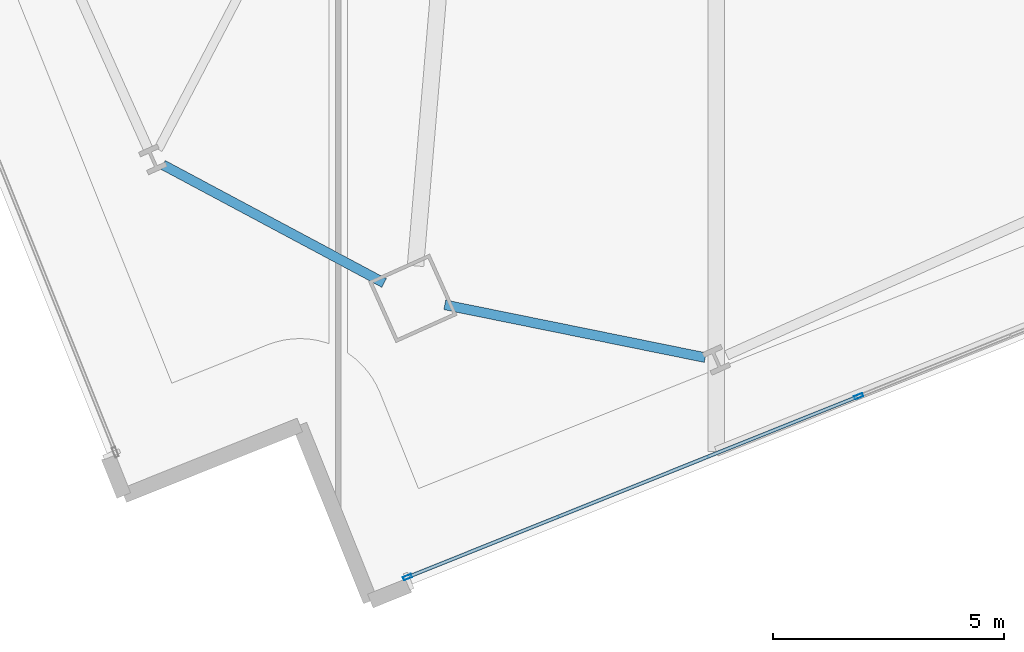
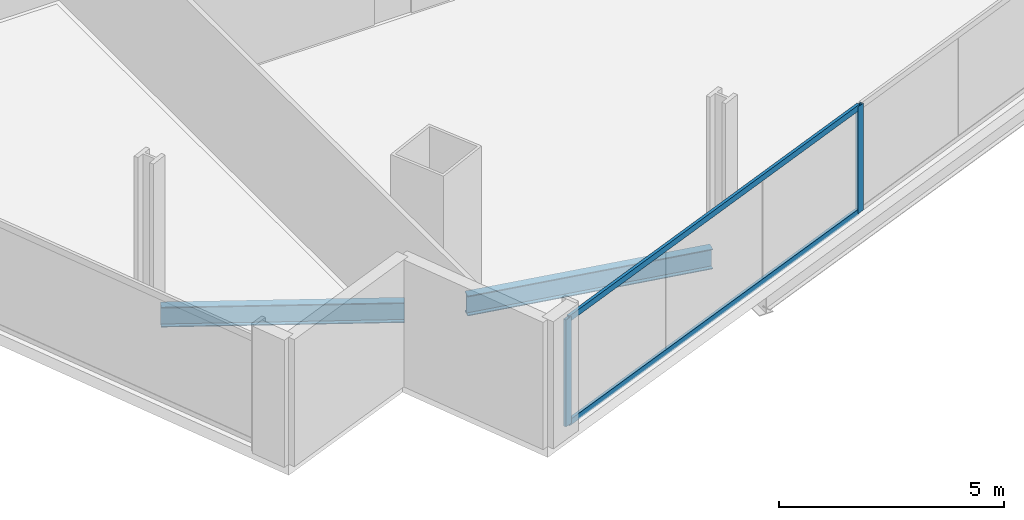
# One storey, part 3 of 33: 4 members, 2 beams, 1 element without a shape of its own.
"""IFC4 building model written with IfcOpenShell, lengths in metres."""

from ifc_helpers import new_model, si_unit, direction, frame, origin, origin_2d, place, context, subcontext, project, spatial, hollow_rectangle, i_section, extrude, material, material_profile, profile_set, type_object, element, aggregate, save


model = new_model("IFC4")

# Units and contexts
model_context = context("Model", 3, precision=1e-05, world=origin(), true_north=direction((0.0, 1.0)))
body_context = subcontext(model_context, "Body", "Model", "MODEL_VIEW")
ifc_project = project(units=[si_unit("LENGTHUNIT", "METRE"), si_unit("AREAUNIT", "SQUARE_METRE"), si_unit("VOLUMEUNIT", "CUBIC_METRE"), si_unit("PLANEANGLEUNIT", "RADIAN"), si_unit("MASSUNIT", "GRAM", prefix="KILO")], contexts=[model_context])

# Site, building, storey
site_placement = place(None, origin())
site = spatial("IfcSite", under=ifc_project, at=site_placement, CompositionType="ELEMENT")
building_placement = place(site_placement, origin())
building = spatial("IfcBuilding", under=site, at=building_placement, Name="Haldenkirk Collegiate Tower", CompositionType="ELEMENT")
storey_placement = place(building_placement, frame((0.0, 0.0, 101.699951171875)))
storey = spatial("IfcBuildingStorey", under=building, at=storey_placement, Name="L24", CompositionType="ELEMENT", Elevation=101.699951171875)

# Beams
ifc_material_1 = material(Name="Steel ASTM A992 Grade 50", Category="steel")
ifc_material_profile_1 = material_profile(ifc_material_1, i_section(OverallWidth=0.2119140625, OverallDepth=0.5439453125, WebThickness=0.01318359375, FlangeThickness=0.021240234375, at=origin_2d()), Name="W21X83")
ifc_profile_set_1 = profile_set([ifc_material_profile_1], Name="Steel ASTM A992 Grade 50")
beam_type = type_object("IfcBeamType", Name="BM-SPANDREL-W21X83", PredefinedType="SPANDREL", material=ifc_profile_set_1)
beam_1_placement = place(storey_placement, frame((26.3076171875, 1.477783203125, -0.572021484375), z_axis=(0.980077587146, -0.19861501246, 0.0), x_axis=(0.19861501246, 0.980077587146, 0.0)))
element("IfcBeam", 1, at=beam_1_placement, inside=storey, type_object=beam_type, Name="L24 perimeter spandrel beam 01", PredefinedType="SPANDREL", context=body_context, shape_type="SweptSolid", body=[
    extrude(i_section(OverallWidth=0.2119140625, OverallDepth=0.5439453125, WebThickness=0.01318359375, FlangeThickness=0.021240234375, at=origin_2d()), origin(), (0.0, 0.0, 1.0), 5.747802734375),
])
beam_2_placement = place(storey_placement, frame((20.21240234375, 4.505615234375, -0.572021484375), z_axis=(0.881987493029, -0.471272810737, 0.0), x_axis=(0.471272810737, 0.881987493029, 0.0)))
element("IfcBeam", 2, at=beam_2_placement, inside=storey, type_object=beam_type, Name="L24 perimeter spandrel beam 16", PredefinedType="SPANDREL", context=body_context, shape_type="SweptSolid", body=[
    extrude(i_section(OverallWidth=0.2119140625, OverallDepth=0.5439453125, WebThickness=0.01318359375, FlangeThickness=0.021240234375, at=origin_2d()), origin(), (0.0, 0.0, 1.0), 5.42236328125),
])

# Curtain wall, members
ifc_material_2 = material(Name="Anodised architectural bronze aluminium", Category="aluminium")
curtain_wall_type = type_object("IfcCurtainWallType", Name="CW-SYS2-CONCAVE", PredefinedType="USERDEFINED", material=ifc_material_2)
curtain_wall_placement = place(storey_placement, origin())
curtain_wall = element("IfcCurtainWall", 3, at=curtain_wall_placement, inside=storey, type_object=curtain_wall_type, Name="L24 South concave recessed bronze-anodised curtain wall", ObjectType="UNITISED CURTAIN WALL", PredefinedType="USERDEFINED")
ifc_material_profile_2 = material_profile(ifc_material_2, hollow_rectangle(XDim=0.074951171875, YDim=0.18994140625, WallThickness=0.0048828125, at=origin_2d()), Name="CW-MUL-02")
ifc_profile_set_2 = profile_set([ifc_material_profile_2], Name="Anodised architectural bronze aluminium")
member_type_1 = type_object("IfcMemberType", Name="CW-MUL-02", PredefinedType="MULLION", material=ifc_profile_set_2)
member_1_placement = place(storey_placement, frame((35.25927734375, -0.499267578125, 0.0), z_axis=(0.0, 0.0, 1.0), x_axis=(0.372177026355, -0.928161764486, 0.0)))
member_1 = element("IfcMember", 4, at=member_1_placement, type_object=member_type_1, Name="CW-02 mullion 4", PredefinedType="MULLION", context=body_context, shape_type="SweptSolid", body=[
    extrude(hollow_rectangle(XDim=0.074951171875, YDim=0.18994140625, WallThickness=0.0048828125, at=origin_2d()), origin(), (0.0, 0.0, 1.0), 2.901123046875),
])
member_2_placement = place(storey_placement, frame((25.501953125, -4.411865234375, 0.0), z_axis=(0.0, 0.0, 1.0), x_axis=(0.372177026355, -0.928161764486, 0.0)))
member_2 = element("IfcMember", 5, at=member_2_placement, type_object=member_type_1, Name="CW-02 mullion 5", PredefinedType="MULLION", context=body_context, shape_type="SweptSolid", body=[
    extrude(hollow_rectangle(XDim=0.074951171875, YDim=0.18994140625, WallThickness=0.0048828125, at=origin_2d()), origin(), (0.0, 0.0, 1.0), 2.901123046875),
])
ifc_material_profile_3 = material_profile(ifc_material_2, hollow_rectangle(XDim=0.074951171875, YDim=0.159912109375, WallThickness=0.0048828125, at=origin_2d()), Name="CW-TRN-02")
ifc_profile_set_3 = profile_set([ifc_material_profile_3], Name="Anodised architectural bronze aluminium")
member_type_2 = type_object("IfcMemberType", Name="CW-TRN-02", PredefinedType="USERDEFINED", material=ifc_profile_set_3)
member_3_placement = place(storey_placement, frame((35.224365234375, -0.51318359375, 0.03759765625), z_axis=(-0.928156946724, -0.372189041009, 0.0), x_axis=(0.372189041009, -0.928156946724, 0.0)))
member_3 = element("IfcMember", 6, at=member_3_placement, type_object=member_type_2, Name="CW-02 transom 4.1", ObjectType="TRANSOM", PredefinedType="USERDEFINED", context=body_context, shape_type="SweptSolid", body=[
    extrude(hollow_rectangle(XDim=0.074951171875, YDim=0.159912109375, WallThickness=0.0048828125, at=origin_2d()), origin(), (0.0, 0.0, 1.0), 10.4375),
])
member_4_placement = place(storey_placement, frame((35.224365234375, -0.51318359375, 2.863525390625), z_axis=(-0.928156946724, -0.372189041009, 0.0), x_axis=(0.372189041009, -0.928156946724, 0.0)))
member_4 = element("IfcMember", 7, at=member_4_placement, type_object=member_type_2, Name="CW-02 transom 4.2", ObjectType="TRANSOM", PredefinedType="USERDEFINED", context=body_context, shape_type="SweptSolid", body=[
    extrude(hollow_rectangle(XDim=0.074951171875, YDim=0.159912109375, WallThickness=0.0048828125, at=origin_2d()), origin(), (0.0, 0.0, 1.0), 10.4375),
])
aggregate(curtain_wall, [member_1, member_2, member_3, member_4])

save(model, "model.ifc")
